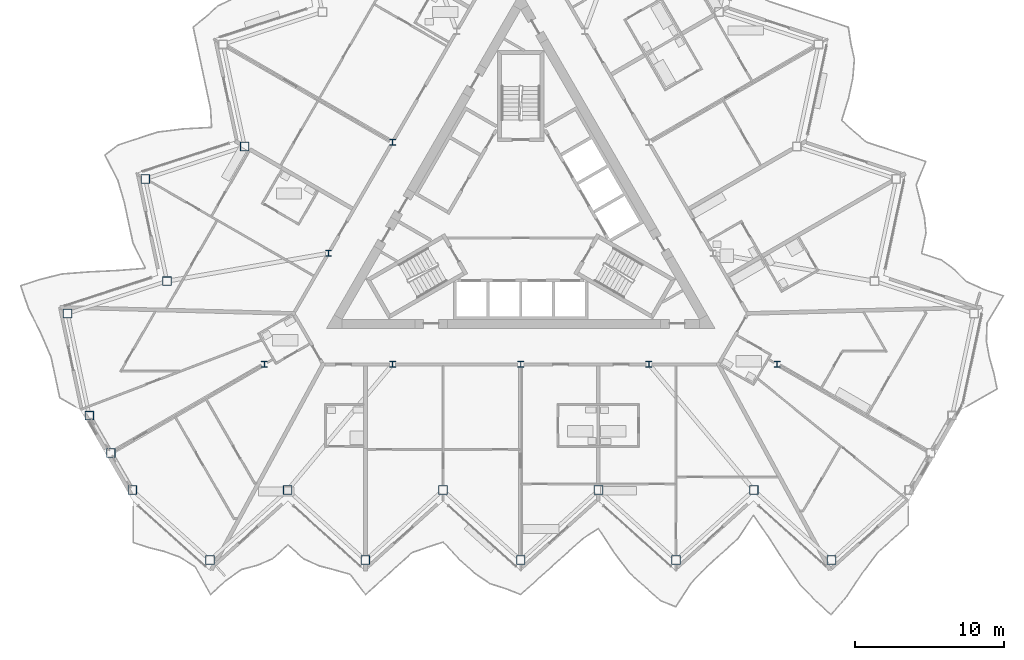
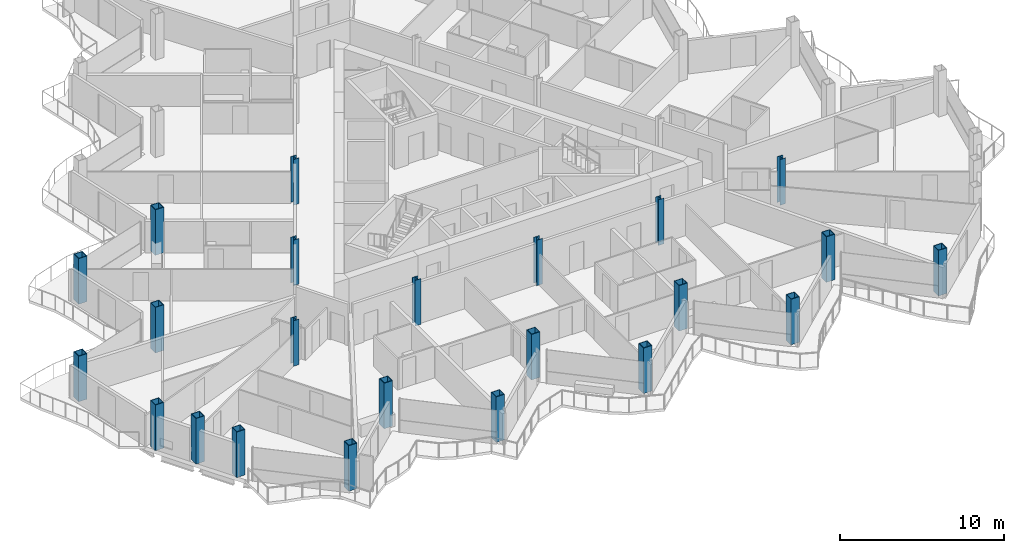
# One storey, part 1 of 28: 23 columns.
"""IFC4 building model written with IfcOpenShell, lengths in metres."""

from ifc_helpers import new_model, si_unit, direction, frame, origin, origin_2d, place, context, subcontext, project, spatial, hollow_rectangle, i_section, extrude, material, material_profile, profile_set, type_object, element, save


model = new_model("IFC4")

# Units and contexts
model_context = context("Model", 3, precision=1e-05, world=origin(), true_north=direction((0.0, 1.0)))
body_context = subcontext(model_context, "Body", "Model", "MODEL_VIEW")
ifc_project = project(units=[si_unit("LENGTHUNIT", "METRE"), si_unit("AREAUNIT", "SQUARE_METRE"), si_unit("VOLUMEUNIT", "CUBIC_METRE"), si_unit("PLANEANGLEUNIT", "RADIAN"), si_unit("MASSUNIT", "GRAM", prefix="KILO")], contexts=[model_context])

# Site, building, storey
site_placement = place(None, origin())
site = spatial("IfcSite", under=ifc_project, at=site_placement, CompositionType="ELEMENT")
building_placement = place(site_placement, origin())
building = spatial("IfcBuilding", under=site, at=building_placement, Name="Cormorant Prow Tower", CompositionType="ELEMENT")
storey_placement = place(building_placement, frame((0.0, 0.0, 305.199951171875)))
storey = spatial("IfcBuildingStorey", under=building, at=storey_placement, Name="L66", CompositionType="ELEMENT", Elevation=305.199951171875)

# Columns
ifc_material_1 = material(Name="Structural steel ASTM A572 Gr 50", Category="steel")
ifc_material_profile_1 = material_profile(ifc_material_1, hollow_rectangle(XDim=0.60009765625, YDim=0.60009765625, WallThickness=0.0400390625, at=origin_2d()), Name="Box 600x600x40")
ifc_profile_set_1 = profile_set([ifc_material_profile_1], Name="Structural steel ASTM A572 Gr 50")
column_type_1 = type_object("IfcColumnType", Name="Perimeter box column 600x600x40", PredefinedType="COLUMN", material=ifc_profile_set_1)
for number, where, z_axis, x_axis, name in (
    (1, (-25.995361328125, -18.326904296875, 0.0), (0.0, 0.0, 1.0), (1.0, 0.0, 0.0), "Perimeter column C6 at S00 L66"),
    (2, (-20.79638671875, -23.008056640625, 0.0), (0.0, 0.0, 1.0), (1.0, 0.0, 0.0), "Perimeter column C6 at S01 L66"),
    (3, (-15.59716796875, -18.326904296875, 0.0), (0.0, 0.0, 1.0), (1.0, 0.0, 0.0), "Perimeter column C6 at S02 L66"),
    (4, (-10.398193359375, -23.008056640625, 0.0), (0.0, 0.0, 1.0), (1.0, 0.0, 0.0), "Perimeter column C6 at S03 L66"),
    (5, (-5.198974609375, -18.326904296875, 0.0), (0.0, 0.0, 1.0), (1.0, 0.0, 0.0), "Perimeter column C6 at S04 L66"),
    (6, (0.0, -23.008056640625, 0.0), (0.0, 0.0, 1.0), (1.0, 0.0, 0.0), "Perimeter column C6 at S05 L66"),
    (7, (5.198974609375, -18.326904296875, 0.0), (0.0, 0.0, 1.0), (1.0, 0.0, 0.0), "Perimeter column C6 at S06 L66"),
    (8, (10.398193359375, -23.008056640625, 0.0), (0.0, 0.0, 1.0), (1.0, 0.0, 0.0), "Perimeter column C6 at S07 L66"),
    (9, (15.59716796875, -18.326904296875, 0.0), (0.0, 0.0, 1.0), (1.0, 0.0, 0.0), "Perimeter column C6 at S08 L66"),
    (10, (20.79638671875, -23.008056640625, 0.0), (0.0, 0.0, 1.0), (1.0, 0.0, 0.0), "Perimeter column C6 at S09 L66"),
    (11, (-18.470947265625, 4.660888671875, 0.0), (0.0, 0.0, 1.0), (1.0, 0.0, 0.0), "Perimeter column C6 at WNW06 L66"),
    (12, (-25.124755859375, 2.4990234375, 0.0), (0.0, 0.0, 1.0), (1.0, 0.0, 0.0), "Perimeter column C6 at WNW07 L66"),
    (13, (-23.670166015625, -4.34423828125, 0.0), (0.0, 0.0, 1.0), (1.0, 0.0, 0.0), "Perimeter column C6 at WNW08 L66"),
    (14, (-30.32373046875, -6.506103515625, 0.0), (0.0, 0.0, 1.0), (1.0, 0.0, 0.0), "Perimeter column C6 at WNW09 L66"),
    (15, (-28.869140625, -13.349365234375, 0.0), (0.0, 0.0, 1.0), (1.0, 0.0, 0.0), "Perimeter column C6 at WSW00 L66"),
    (16, (-27.432373046875, -15.838134765625, 0.0), (0.0, 0.0, 1.0), (1.0, 0.0, 0.0), "Perimeter column C6 at WSW01 L66"),
):
    element("IfcColumn", number, at=place(storey_placement, frame(where, z_axis=z_axis, x_axis=x_axis)), inside=storey, type_object=column_type_1, Name=name, PredefinedType="COLUMN", context=body_context, shape_type="SweptSolid", body=[
        extrude(hollow_rectangle(XDim=0.60009765625, YDim=0.60009765625, WallThickness=0.0400390625, at=origin_2d()), origin(), (0.0, 0.0, 1.0), 3.400146484375),
    ])
ifc_material_2 = material(Name="Structural steel ASTM A992 Gr 50", Category="steel")
ifc_material_profile_2 = material_profile(ifc_material_2, i_section(OverallWidth=0.3955078125, OverallDepth=0.380615234375, WebThickness=0.018798828125, FlangeThickness=0.0302734375, at=origin_2d()), Name="W14x159")
ifc_profile_set_2 = profile_set([ifc_material_profile_2], Name="Structural steel ASTM A992 Gr 50")
column_type_2 = type_object("IfcColumnType", Name="Ring column W14x159", PredefinedType="COLUMN", material=ifc_profile_set_2)
for number, where, z_axis, x_axis, name in (
    (17, (-8.578369140625, 4.952880859375, 0.0), (0.0, 0.0, 1.0), (1.0, 0.0, 0.0), "Ring column 3 L66"),
    (18, (-12.86767578125, -2.476318359375, 0.0), (0.0, 0.0, 1.0), (1.0, 0.0, 0.0), "Ring column 4 L66"),
    (19, (-17.156982421875, -9.905517578125, 0.0), (0.0, 0.0, 1.0), (1.0, 0.0, 0.0), "Ring column 5 L66"),
    (20, (-8.578369140625, -9.905517578125, 0.0), (0.0, 0.0, 1.0), (1.0, 0.0, 0.0), "Ring column 6 L66"),
    (21, (0.0, -9.905517578125, 0.0), (0.0, 0.0, 1.0), (1.0, 0.0, 0.0), "Ring column 7 L66"),
    (22, (8.578369140625, -9.905517578125, 0.0), (0.0, 0.0, 1.0), (1.0, 0.0, 0.0), "Ring column 8 L66"),
    (23, (17.156982421875, -9.905517578125, 0.0), (0.0, 0.0, 1.0), (1.0, 0.0, 0.0), "Ring column 9 L66"),
):
    element("IfcColumn", number, at=place(storey_placement, frame(where, z_axis=z_axis, x_axis=x_axis)), inside=storey, type_object=column_type_2, Name=name, PredefinedType="COLUMN", context=body_context, shape_type="SweptSolid", body=[
        extrude(i_section(OverallWidth=0.3955078125, OverallDepth=0.380615234375, WebThickness=0.018798828125, FlangeThickness=0.0302734375, at=origin_2d()), origin(), (0.0, 0.0, 1.0), 3.400146484375),
    ])

save(model, "model.ifc")
